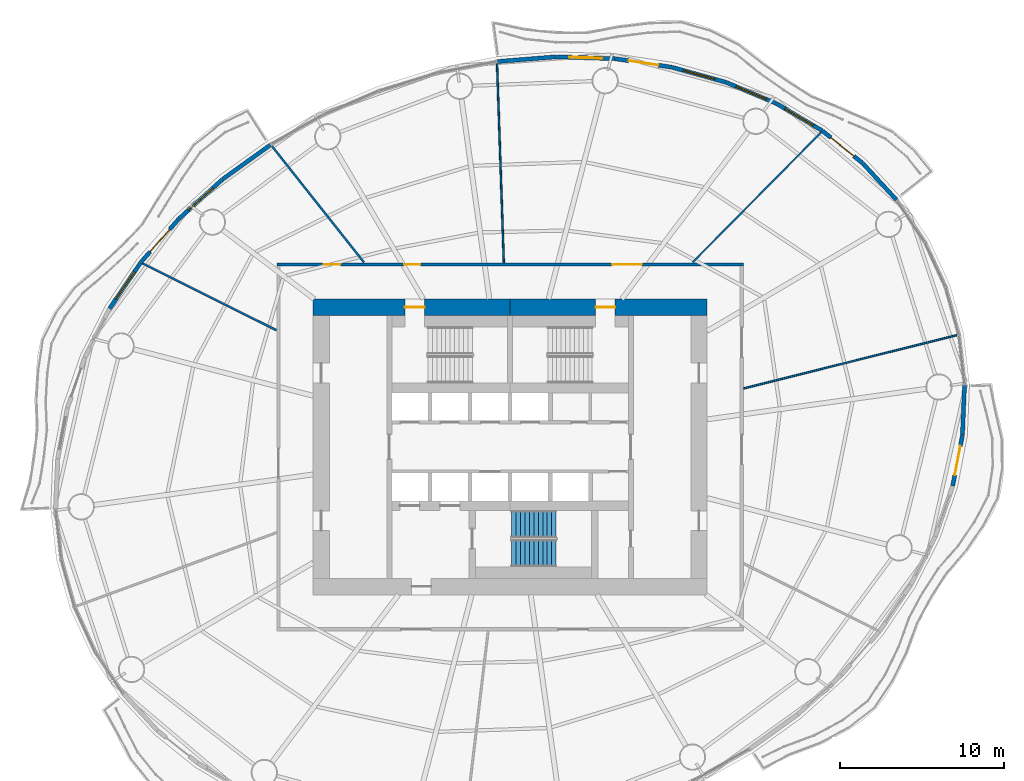
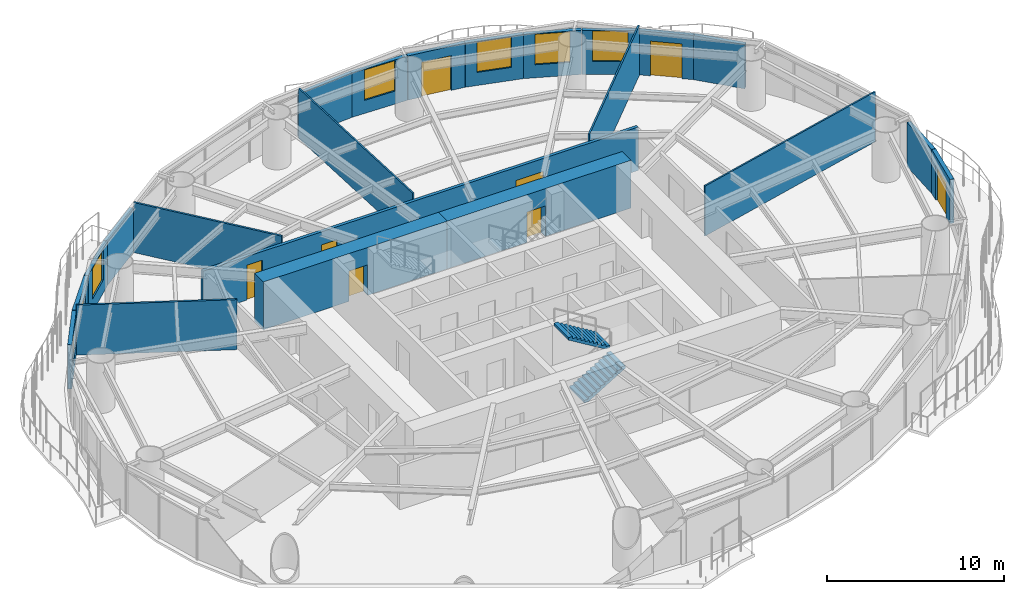
# One storey, part 10 of 16: 22 walls, 9 doors, 6 windows, 2 stair flights, 15 openings, 1 element without a shape of its own.
"""IFC4 building model written with IfcOpenShell, lengths in metres."""

from ifc_helpers import new_model, si_unit, direction, frame, frame_2d, origin, place, context, subcontext, project, spatial, polyline, rectangle, outline, extrude, material, layer, layer_set, type_object, element, fill, aggregate, save


model = new_model("IFC4")

# Units and contexts
model_context = context("Model", 3, precision=1e-05, world=origin(), true_north=direction((0.0, 1.0)))
body_context = subcontext(model_context, "Body", "Model", "MODEL_VIEW")
ifc_project = project(units=[si_unit("LENGTHUNIT", "METRE"), si_unit("AREAUNIT", "SQUARE_METRE"), si_unit("VOLUMEUNIT", "CUBIC_METRE"), si_unit("PLANEANGLEUNIT", "RADIAN"), si_unit("MASSUNIT", "GRAM", prefix="KILO")], contexts=[model_context])

# Site, building, storey
site_placement = place(None, origin())
site = spatial("IfcSite", under=ifc_project, at=site_placement, CompositionType="ELEMENT")
building_placement = place(site_placement, origin())
building = spatial("IfcBuilding", under=site, at=building_placement, Name="Vermilion Reach Broadcast Tower", CompositionType="ELEMENT")
storey_placement = place(building_placement, frame((0.0, 0.0, 113.800048828125)))
storey = spatial("IfcBuildingStorey", under=building, at=storey_placement, Name="L26", CompositionType="ELEMENT", Elevation=113.800048828125)

# Wall, opening, door
ifc_material_1 = material(Name="Concrete C70", Category="concrete")
ifc_layer_1 = layer(ifc_material_1, 1.0)
ifc_layer_set_1 = layer_set([ifc_layer_1], Name="Core outer wall 1000 mm Concrete C70")
wall_type_1 = type_object("IfcWallType", Name="Core outer wall 1000 mm Concrete C70", PredefinedType="SHEAR", material=ifc_layer_set_1)
wall_1_placement = place(storey_placement, frame((6.0, 8.5, 0.0), z_axis=(0.0, 0.0, 1.0), x_axis=(-1.0, 0.0, 0.0)))
wall_1 = element("IfcWall", 1, at=wall_1_placement, inside=storey, type_object=wall_type_1, Name="L26 core wall onE", PredefinedType="SHEAR", context=body_context, shape_type="SweptSolid", body=[
    extrude(rectangle(XDim=12.0, YDim=1.0, at=frame_2d((6.0, 0.0))), origin(), (0.0, 0.0, 1.0), 3.300048828125),
])
opening_1_placement = place(wall_1_placement, frame((5.60009765625, 0.0, 0.0)))
opening_1 = element("IfcOpeningElement", 2, at=opening_1_placement, cuts=wall_1, Name="Opening D01", PredefinedType="OPENING", context=body_context, shape_type="SweptSolid", body=[
    extrude(rectangle(XDim=1.199951171875, YDim=2.10009765625, at=frame_2d((0.60009765625, 1.050048828125))), frame((0.0, 0.510009765625, 0.0), z_axis=(0.0, -1.0, 0.0), x_axis=(1.0, 0.0, 0.0)), (0.0, 0.0, 1.0), 1.02001953125),
])
ifc_material_2 = material(Name="Painted steel fire door", Category="steel")
door_type_1 = type_object("IfcDoorType", Name="Stair door 1200 x 2100", OperationType="DOUBLE_DOOR_SINGLE_SWING", PredefinedType="NOTDEFINED", material=ifc_material_2)
door_1_placement = place(opening_1_placement, origin())
door_1 = element("IfcDoor", 3, at=door_1_placement, inside=storey, type_object=door_type_1, Name="L26 stair door ST2", OperationType="DOUBLE_DOOR_SINGLE_SWING", OverallHeight=2.10009765625, OverallWidth=1.199951171875, PredefinedType="NOTDEFINED", context=body_context, shape_type="SweptSolid", body=[
    extrude(rectangle(XDim=1.199951171875, YDim=2.10009765625, at=frame_2d((0.60009765625, 1.050048828125))), frame((0.0, 0.02490234375, 0.0), z_axis=(0.0, -1.0, 0.0), x_axis=(1.0, 0.0, 0.0)), (0.0, 0.0, 1.0), 0.050048828125),
])
fill(opening_1, door_1)

wall_2_placement = place(storey_placement, frame((-6.0, 8.5, 0.0), z_axis=(0.0, 0.0, 1.0), x_axis=(-1.0, 0.0, 0.0)))
wall_2 = element("IfcWall", 4, at=wall_2_placement, inside=storey, type_object=wall_type_1, Name="L26 core wall onW", PredefinedType="SHEAR", context=body_context, shape_type="SweptSolid", body=[
    extrude(rectangle(XDim=12.0, YDim=1.0, at=frame_2d((6.0, 0.0))), origin(), (0.0, 0.0, 1.0), 3.300048828125),
])
opening_2_placement = place(wall_2_placement, frame((5.199951171875, 0.0, 0.0)))
opening_2 = element("IfcOpeningElement", 5, at=opening_2_placement, cuts=wall_2, Name="Opening D01", PredefinedType="OPENING", context=body_context, shape_type="SweptSolid", body=[
    extrude(rectangle(XDim=1.199951171875, YDim=2.10009765625, at=frame_2d((0.60009765625, 1.050048828125))), frame((0.0, 0.510009765625, 0.0), z_axis=(0.0, -1.0, 0.0), x_axis=(1.0, 0.0, 0.0)), (0.0, 0.0, 1.0), 1.02001953125),
])
door_2_placement = place(opening_2_placement, origin())
door_2 = element("IfcDoor", 6, at=door_2_placement, inside=storey, type_object=door_type_1, Name="L26 stair door ST1", OperationType="DOUBLE_DOOR_SINGLE_SWING", OverallHeight=2.10009765625, OverallWidth=1.199951171875, PredefinedType="NOTDEFINED", context=body_context, shape_type="SweptSolid", body=[
    extrude(rectangle(XDim=1.199951171875, YDim=2.10009765625, at=frame_2d((0.60009765625, 1.050048828125))), frame((0.0, 0.02490234375, 0.0), z_axis=(0.0, -1.0, 0.0), x_axis=(1.0, 0.0, 0.0)), (0.0, 0.0, 1.0), 0.050048828125),
])
fill(opening_2, door_2)

# Walls
ifc_material_3 = material(Name="Plasterboard on steel stud", Category="steel")
ifc_layer_2 = layer(ifc_material_3, 0.10009765625)
ifc_layer_set_2 = layer_set([ifc_layer_2], Name="Partition 100 steel stud")
wall_type_2 = type_object("IfcWallType", Name="Partition 100 steel stud", PredefinedType="PARTITIONING", material=ifc_layer_set_2)
wall_3_placement = place(storey_placement, frame((12.930419921875, 19.14599609375, 0.0), z_axis=(0.0, 0.0, 1.0), x_axis=(-0.703090382433, -0.711100495099, 0.0)))
element("IfcWall", 7, at=wall_3_placement, inside=storey, type_object=wall_type_2, Name="Partition 26.01", PredefinedType="PARTITIONING", context=body_context, shape_type="SweptSolid", body=[
    extrude(rectangle(XDim=11.124755859375, YDim=0.10009765625, at=frame_2d((5.5625, 0.0))), origin(), (0.0, 0.0, 1.0), 3.449951171875),
])
wall_4_placement = place(storey_placement, frame((-6.7939453125, 23.3310546875, 0.0), z_axis=(0.0, 0.0, 1.0), x_axis=(0.034016773765, -0.999421262083, 0.0)))
element("IfcWall", 8, at=wall_4_placement, inside=storey, type_object=wall_type_2, Name="Partition 26.02", PredefinedType="PARTITIONING", context=body_context, shape_type="SweptSolid", body=[
    extrude(rectangle(XDim=12.136474609375, YDim=0.10009765625, at=frame_2d((6.068359375, 0.0))), origin(), (0.0, 0.0, 1.0), 3.449951171875),
])
wall_5_placement = place(storey_placement, frame((21.197509765625, 6.80517578125, 0.0), z_axis=(0.0, 0.0, 1.0), x_axis=(-0.970095274977, -0.242724447608, 0.0)))
element("IfcWall", 9, at=wall_5_placement, inside=storey, type_object=wall_type_2, Name="Partition 26.08", PredefinedType="PARTITIONING", context=body_context, shape_type="SweptSolid", body=[
    extrude(rectangle(XDim=13.3857421875, YDim=0.10009765625, at=frame_2d((6.69287109375, 0.0))), origin(), (0.0, 0.0, 1.0), 3.449951171875),
])
ifc_material_4 = material(Name="Fire-rated plasterboard on steel stud", Category="steel")
ifc_layer_3 = layer(ifc_material_4, 0.125)
ifc_layer_set_3 = layer_set([ifc_layer_3], Name="Partition 125 fire-rated stud")
wall_type_3 = type_object("IfcWallType", Name="Partition 125 fire-rated stud", PredefinedType="PARTITIONING", material=ifc_layer_set_3)
wall_6_placement = place(storey_placement, frame((-20.4912109375, 18.30224609375, 0.0), z_axis=(0.0, 0.0, 1.0), x_axis=(0.620744588947, -0.784012854036, 0.0)))
element("IfcWall", 10, at=wall_6_placement, inside=storey, type_object=wall_type_3, Name="Partition 26.03", PredefinedType="PARTITIONING", context=body_context, shape_type="SweptSolid", body=[
    extrude(rectangle(XDim=9.00927734375, YDim=0.125, at=frame_2d((4.504638671875, 0.0))), origin(), (0.0, 0.0, 1.0), 3.449951171875),
])
wall_7_placement = place(storey_placement, frame((-28.367919921875, 11.169921875, 0.0), z_axis=(0.0, 0.0, 1.0), x_axis=(0.894647115325, -0.446773476205, 0.0)))
element("IfcWall", 11, at=wall_7_placement, inside=storey, type_object=wall_type_3, Name="Partition 26.04", PredefinedType="PARTITIONING", context=body_context, shape_type="SweptSolid", body=[
    extrude(rectangle(XDim=9.098388671875, YDim=0.125, at=frame_2d((4.54931640625, 0.0))), origin(), (0.0, 0.0, 1.0), 3.449951171875),
])
ifc_material_5 = material(Name="Terracotta rainscreen cladding", Category="masonry")
ifc_layer_4 = layer(ifc_material_5, 0.25)
ifc_layer_set_4 = layer_set([ifc_layer_4], Name="Terracotta rainscreen wall 250")
wall_type_4 = type_object("IfcWallType", Name="Terracotta rainscreen wall 250", PredefinedType="SOLIDWALL", material=ifc_layer_set_4)
wall_8_placement = place(storey_placement, frame((17.519775390625, 15.037841796875, 0.0), z_axis=(0.0, 0.0, 1.0), x_axis=(-0.677632184293, 0.735400994567, 0.0)))
element("IfcWall", 12, at=wall_8_placement, inside=storey, type_object=wall_type_4, Name="External wall L26 02", PredefinedType="SOLIDWALL", context=body_context, shape_type="SweptSolid", body=[
    extrude(rectangle(XDim=3.021728515625, YDim=0.25, at=frame_2d((1.5107421875, 0.0))), origin(), (0.0, 0.0, 1.0), 3.050048828125),
])

# Wall, opening, door
wall_9_placement = place(storey_placement, frame((15.45263671875, 17.278076171875, 0.0), z_axis=(0.0, 0.0, 1.0), x_axis=(-0.779353281229, 0.626584761256, 0.0)))
wall_9 = element("IfcWall", 13, at=wall_9_placement, inside=storey, type_object=wall_type_4, Name="External wall L26 03", PredefinedType="SOLIDWALL", context=body_context, shape_type="SweptSolid", body=[
    extrude(rectangle(XDim=3.13232421875, YDim=0.25, at=frame_2d((1.566162109375, 0.0))), origin(), (0.0, 0.0, 1.0), 3.050048828125),
])
opening_3_placement = place(wall_9_placement, frame((0.666015625, 0.0, 0.0)))
opening_3 = element("IfcOpeningElement", 14, at=opening_3_placement, cuts=wall_9, Name="Opening D70", PredefinedType="OPENING", context=body_context, shape_type="SweptSolid", body=[
    extrude(rectangle(XDim=1.800048828125, YDim=2.39990234375, at=frame_2d((0.89990234375, 1.199951171875))), frame((0.0, 0.135009765625, 0.0), z_axis=(0.0, -1.0, 0.0), x_axis=(1.0, 0.0, 0.0)), (0.0, 0.0, 1.0), 0.27001953125),
])
ifc_material_6 = material(Name="Low-e laminated clear glass in aluminium frame", Category="aluminium")
door_type_2 = type_object("IfcDoorType", Name="Balcony sliding door 1800 x 2400", OperationType="DOUBLE_DOOR_SLIDING", PredefinedType="DOOR", material=ifc_material_6)
door_3_placement = place(opening_3_placement, origin())
door_3 = element("IfcDoor", 15, at=door_3_placement, inside=storey, type_object=door_type_2, Name="Balcony door L26 run 01", OperationType="DOUBLE_DOOR_SLIDING", OverallHeight=2.39990234375, OverallWidth=1.800048828125, PredefinedType="DOOR", context=body_context, shape_type="SweptSolid", body=[
    extrude(rectangle(XDim=1.800048828125, YDim=2.39990234375, at=frame_2d((0.89990234375, 1.199951171875))), frame((0.0, 0.02490234375, 0.0), z_axis=(0.0, -1.0, 0.0), x_axis=(1.0, 0.0, 0.0)), (0.0, 0.0, 1.0), 0.050048828125),
])
fill(opening_3, door_3)

# Wall, opening, window
wall_10_placement = place(storey_placement, frame((12.990478515625, 19.25537109375, 0.0), z_axis=(0.0, 0.0, 1.0), x_axis=(-0.860327301237, 0.509742027644, 0.0)))
wall_10 = element("IfcWall", 16, at=wall_10_placement, inside=storey, type_object=wall_type_4, Name="External wall L26 04", PredefinedType="SOLIDWALL", context=body_context, shape_type="SweptSolid", body=[
    extrude(rectangle(XDim=3.215087890625, YDim=0.25, at=frame_2d((1.607421875, 0.0))), origin(), (0.0, 0.0, 1.0), 3.050048828125),
])
opening_4_placement = place(wall_10_placement, frame((0.607421875, 0.0, 0.89990234375)))
opening_4 = element("IfcOpeningElement", 17, at=opening_4_placement, cuts=wall_10, Name="Opening W03", PredefinedType="OPENING", context=body_context, shape_type="SweptSolid", body=[
    extrude(rectangle(XDim=2.0, YDim=2.10009765625, at=frame_2d((1.0, 1.050048828125))), frame((0.0, 0.135009765625, 0.0), z_axis=(0.0, -1.0, 0.0), x_axis=(1.0, 0.0, 0.0)), (0.0, 0.0, 1.0), 0.27001953125),
])
ifc_material_7 = material(Name="Low-e laminated clear glass in aluminium frame", Category="aluminium")
window_type = type_object("IfcWindowType", Name="Punched window 2000 x 2100 sill 900", PartitioningType="SINGLE_PANEL", PredefinedType="WINDOW", material=ifc_material_7)
window_1_placement = place(opening_4_placement, origin())
window_1 = element("IfcWindow", 18, at=window_1_placement, inside=storey, type_object=window_type, Name="Window L26 04", OverallHeight=2.10009765625, OverallWidth=2.0, PartitioningType="SINGLE_PANEL", PredefinedType="WINDOW", context=body_context, shape_type="SweptSolid", body=[
    extrude(rectangle(XDim=2.0, YDim=2.10009765625, at=frame_2d((1.0, 1.050048828125))), frame((0.0, 0.030029296875, 0.0), z_axis=(0.0, -1.0, 0.0), x_axis=(1.0, 0.0, 0.0)), (0.0, 0.0, 1.0), 0.06005859375),
])
fill(opening_4, window_1)

wall_11_placement = place(storey_placement, frame((10.2021484375, 20.905517578125, 0.0), z_axis=(0.0, 0.0, 1.0), x_axis=(-0.921226028589, 0.389027767967, 0.0)))
wall_11 = element("IfcWall", 19, at=wall_11_placement, inside=storey, type_object=wall_type_4, Name="External wall L26 05", PredefinedType="SOLIDWALL", context=body_context, shape_type="SweptSolid", body=[
    extrude(rectangle(XDim=3.3046875, YDim=0.25, at=frame_2d((1.65234375, 0.0))), origin(), (0.0, 0.0, 1.0), 3.050048828125),
])
opening_5_placement = place(wall_11_placement, frame((0.65234375, 0.0, 0.89990234375)))
opening_5 = element("IfcOpeningElement", 20, at=opening_5_placement, cuts=wall_11, Name="Opening W03", PredefinedType="OPENING", context=body_context, shape_type="SweptSolid", body=[
    extrude(rectangle(XDim=2.0, YDim=2.10009765625, at=frame_2d((1.0, 1.050048828125))), frame((0.0, 0.135009765625, 0.0), z_axis=(0.0, -1.0, 0.0), x_axis=(1.0, 0.0, 0.0)), (0.0, 0.0, 1.0), 0.27001953125),
])
window_2_placement = place(opening_5_placement, origin())
window_2 = element("IfcWindow", 21, at=window_2_placement, inside=storey, type_object=window_type, Name="Window L26 05", OverallHeight=2.10009765625, OverallWidth=2.0, PartitioningType="SINGLE_PANEL", PredefinedType="WINDOW", context=body_context, shape_type="SweptSolid", body=[
    extrude(rectangle(XDim=2.0, YDim=2.10009765625, at=frame_2d((1.0, 1.050048828125))), frame((0.0, 0.030029296875, 0.0), z_axis=(0.0, -1.0, 0.0), x_axis=(1.0, 0.0, 0.0)), (0.0, 0.0, 1.0), 0.06005859375),
])
fill(opening_5, window_2)

wall_12_placement = place(storey_placement, frame((7.135009765625, 22.19921875, 0.0), z_axis=(0.0, 0.0, 1.0), x_axis=(-0.96343750938, 0.267933136285, 0.0)))
wall_12 = element("IfcWall", 22, at=wall_12_placement, inside=storey, type_object=wall_type_4, Name="External wall L26 06", PredefinedType="SOLIDWALL", context=body_context, shape_type="SweptSolid", body=[
    extrude(rectangle(XDim=3.39501953125, YDim=0.25, at=frame_2d((1.697509765625, 0.0))), origin(), (0.0, 0.0, 1.0), 3.050048828125),
])
opening_6_placement = place(wall_12_placement, frame((0.697509765625, 0.0, 0.89990234375)))
opening_6 = element("IfcOpeningElement", 23, at=opening_6_placement, cuts=wall_12, Name="Opening W03", PredefinedType="OPENING", context=body_context, shape_type="SweptSolid", body=[
    extrude(rectangle(XDim=2.0, YDim=2.10009765625, at=frame_2d((1.0, 1.050048828125))), frame((0.0, 0.135009765625, 0.0), z_axis=(0.0, -1.0, 0.0), x_axis=(1.0, 0.0, 0.0)), (0.0, 0.0, 1.0), 0.27001953125),
])
window_3_placement = place(opening_6_placement, origin())
window_3 = element("IfcWindow", 24, at=window_3_placement, inside=storey, type_object=window_type, Name="Window L26 06", OverallHeight=2.10009765625, OverallWidth=2.0, PartitioningType="SINGLE_PANEL", PredefinedType="WINDOW", context=body_context, shape_type="SweptSolid", body=[
    extrude(rectangle(XDim=2.0, YDim=2.10009765625, at=frame_2d((1.0, 1.050048828125))), frame((0.0, 0.030029296875, 0.0), z_axis=(0.0, -1.0, 0.0), x_axis=(1.0, 0.0, 0.0)), (0.0, 0.0, 1.0), 0.06005859375),
])
fill(opening_6, window_3)

# Wall, opening, door
wall_13_placement = place(storey_placement, frame((3.84130859375, 23.11376953125, 0.0), z_axis=(0.0, 0.0, 1.0), x_axis=(-0.98891112558, 0.14850853748, 0.0)))
wall_13 = element("IfcWall", 25, at=wall_13_placement, inside=storey, type_object=wall_type_4, Name="External wall L26 07", PredefinedType="SOLIDWALL", context=body_context, shape_type="SweptSolid", body=[
    extrude(rectangle(XDim=3.480224609375, YDim=0.25, at=frame_2d((1.740234375, 0.0))), origin(), (0.0, 0.0, 1.0), 3.050048828125),
])
opening_7_placement = place(wall_13_placement, frame((0.840087890625, 0.0, 0.0)))
opening_7 = element("IfcOpeningElement", 26, at=opening_7_placement, cuts=wall_13, Name="Opening D70", PredefinedType="OPENING", context=body_context, shape_type="SweptSolid", body=[
    extrude(rectangle(XDim=1.800048828125, YDim=2.39990234375, at=frame_2d((0.89990234375, 1.199951171875))), frame((0.0, 0.135009765625, 0.0), z_axis=(0.0, -1.0, 0.0), x_axis=(1.0, 0.0, 0.0)), (0.0, 0.0, 1.0), 0.27001953125),
])
door_4_placement = place(opening_7_placement, origin())
door_4 = element("IfcDoor", 27, at=door_4_placement, inside=storey, type_object=door_type_2, Name="Balcony door L26 run 02", OperationType="DOUBLE_DOOR_SLIDING", OverallHeight=2.39990234375, OverallWidth=1.800048828125, PredefinedType="DOOR", context=body_context, shape_type="SweptSolid", body=[
    extrude(rectangle(XDim=1.800048828125, YDim=2.39990234375, at=frame_2d((0.89990234375, 1.199951171875))), frame((0.0, 0.02490234375, 0.0), z_axis=(0.0, -1.0, 0.0), x_axis=(1.0, 0.0, 0.0)), (0.0, 0.0, 1.0), 0.050048828125),
])
fill(opening_7, door_4)

# Wall, opening, window
wall_14_placement = place(storey_placement, frame((0.377197265625, 23.632568359375, 0.0), z_axis=(0.0, 0.0, 1.0), x_axis=(-0.99948104208, 0.032212521216, 0.0)))
wall_14 = element("IfcWall", 28, at=wall_14_placement, inside=storey, type_object=wall_type_4, Name="External wall L26 08", PredefinedType="SOLIDWALL", context=body_context, shape_type="SweptSolid", body=[
    extrude(rectangle(XDim=3.5546875, YDim=0.25, at=frame_2d((1.77734375, 0.0))), origin(), (0.0, 0.0, 1.0), 3.050048828125),
])
opening_8_placement = place(wall_14_placement, frame((0.77734375, 0.0, 0.89990234375)))
opening_8 = element("IfcOpeningElement", 29, at=opening_8_placement, cuts=wall_14, Name="Opening W03", PredefinedType="OPENING", context=body_context, shape_type="SweptSolid", body=[
    extrude(rectangle(XDim=2.0, YDim=2.10009765625, at=frame_2d((1.0, 1.050048828125))), frame((0.0, 0.135009765625, 0.0), z_axis=(0.0, -1.0, 0.0), x_axis=(1.0, 0.0, 0.0)), (0.0, 0.0, 1.0), 0.27001953125),
])
window_4_placement = place(opening_8_placement, origin())
window_4 = element("IfcWindow", 30, at=window_4_placement, inside=storey, type_object=window_type, Name="Window L26 08", OverallHeight=2.10009765625, OverallWidth=2.0, PartitioningType="SINGLE_PANEL", PredefinedType="WINDOW", context=body_context, shape_type="SweptSolid", body=[
    extrude(rectangle(XDim=2.0, YDim=2.10009765625, at=frame_2d((1.0, 1.050048828125))), frame((0.0, 0.030029296875, 0.0), z_axis=(0.0, -1.0, 0.0), x_axis=(1.0, 0.0, 0.0)), (0.0, 0.0, 1.0), 0.06005859375),
])
fill(opening_8, window_4)

# Walls
wall_15_placement = place(storey_placement, frame((-3.197509765625, 23.74658203125, 0.0), z_axis=(0.0, 0.0, 1.0), x_axis=(-0.996755199543, -0.080492684039, 0.0)))
element("IfcWall", 31, at=wall_15_placement, inside=storey, type_object=wall_type_4, Name="External wall L26 09", PredefinedType="SOLIDWALL", context=body_context, shape_type="SweptSolid", body=[
    extrude(rectangle(XDim=3.56982421875, YDim=0.25, at=frame_2d((1.784912109375, 0.0))), origin(), (0.0, 0.0, 1.0), 3.050048828125),
])
wall_16_placement = place(storey_placement, frame((-20.60302734375, 18.37548828125, 0.0), z_axis=(0.0, 0.0, 1.0), x_axis=(-0.812029550547, -0.583616320058, 0.0)))
element("IfcWall", 32, at=wall_16_placement, inside=storey, type_object=wall_type_4, Name="External wall L26 14", PredefinedType="SOLIDWALL", context=body_context, shape_type="SweptSolid", body=[
    extrude(rectangle(XDim=3.570068359375, YDim=0.25, at=frame_2d((1.78515625, 0.0))), origin(), (0.0, 0.0, 1.0), 3.050048828125),
])

# Wall, opening, window
wall_17_placement = place(storey_placement, frame((-23.519287109375, 16.278076171875, 0.0), z_axis=(0.0, 0.0, 1.0), x_axis=(-0.7412037287, -0.67128014462, 0.0)))
wall_17 = element("IfcWall", 33, at=wall_17_placement, inside=storey, type_object=wall_type_4, Name="External wall L26 15", PredefinedType="SOLIDWALL", context=body_context, shape_type="SweptSolid", body=[
    extrude(rectangle(XDim=3.554443359375, YDim=0.25, at=frame_2d((1.77734375, 0.0))), origin(), (0.0, 0.0, 1.0), 3.050048828125),
])
opening_9_placement = place(wall_17_placement, frame((0.77734375, 0.0, 0.89990234375)))
opening_9 = element("IfcOpeningElement", 34, at=opening_9_placement, cuts=wall_17, Name="Opening W03", PredefinedType="OPENING", context=body_context, shape_type="SweptSolid", body=[
    extrude(rectangle(XDim=2.0, YDim=2.10009765625, at=frame_2d((1.0, 1.050048828125))), frame((0.0, 0.135009765625, 0.0), z_axis=(0.0, -1.0, 0.0), x_axis=(1.0, 0.0, 0.0)), (0.0, 0.0, 1.0), 0.27001953125),
])
window_5_placement = place(opening_9_placement, origin())
window_5 = element("IfcWindow", 35, at=window_5_placement, inside=storey, type_object=window_type, Name="Window L26 15", OverallHeight=2.10009765625, OverallWidth=2.0, PartitioningType="SINGLE_PANEL", PredefinedType="WINDOW", context=body_context, shape_type="SweptSolid", body=[
    extrude(rectangle(XDim=2.0, YDim=2.10009765625, at=frame_2d((1.0, 1.050048828125))), frame((0.0, 0.030029296875, 0.0), z_axis=(0.0, -1.0, 0.0), x_axis=(1.0, 0.0, 0.0)), (0.0, 0.0, 1.0), 0.06005859375),
])
fill(opening_9, window_5)

# Wall, opening, door
wall_18_placement = place(storey_placement, frame((-26.169677734375, 13.8759765625, 0.0), z_axis=(0.0, 0.0, 1.0), x_axis=(-0.657903433386, -0.753102298721, 0.0)))
wall_18 = element("IfcWall", 36, at=wall_18_placement, inside=storey, type_object=wall_type_4, Name="External wall L26 16", PredefinedType="SOLIDWALL", context=body_context, shape_type="SweptSolid", body=[
    extrude(rectangle(XDim=3.47998046875, YDim=0.25, at=frame_2d((1.739990234375, 0.0))), origin(), (0.0, 0.0, 1.0), 3.050048828125),
])
opening_10_placement = place(wall_18_placement, frame((0.840087890625, 0.0, 0.0)))
opening_10 = element("IfcOpeningElement", 37, at=opening_10_placement, cuts=wall_18, Name="Opening D70", PredefinedType="OPENING", context=body_context, shape_type="SweptSolid", body=[
    extrude(rectangle(XDim=1.800048828125, YDim=2.39990234375, at=frame_2d((0.89990234375, 1.199951171875))), frame((0.0, 0.135009765625, 0.0), z_axis=(0.0, -1.0, 0.0), x_axis=(1.0, 0.0, 0.0)), (0.0, 0.0, 1.0), 0.27001953125),
])
door_5_placement = place(opening_10_placement, origin())
door_5 = element("IfcDoor", 38, at=door_5_placement, inside=storey, type_object=door_type_2, Name="Balcony door L26 run 04", OperationType="DOUBLE_DOOR_SLIDING", OverallHeight=2.39990234375, OverallWidth=1.800048828125, PredefinedType="DOOR", context=body_context, shape_type="SweptSolid", body=[
    extrude(rectangle(XDim=1.800048828125, YDim=2.39990234375, at=frame_2d((0.89990234375, 1.199951171875))), frame((0.0, 0.02490234375, 0.0), z_axis=(0.0, -1.0, 0.0), x_axis=(1.0, 0.0, 0.0)), (0.0, 0.0, 1.0), 0.050048828125),
])
fill(opening_10, door_5)

# Wall, opening, window
wall_19_placement = place(storey_placement, frame((-28.473388671875, 11.236572265625, 0.0), z_axis=(0.0, 0.0, 1.0), x_axis=(-0.561237624503, -0.827654715955, 0.0)))
wall_19 = element("IfcWall", 39, at=wall_19_placement, inside=storey, type_object=wall_type_4, Name="External wall L26 17", PredefinedType="SOLIDWALL", context=body_context, shape_type="SweptSolid", body=[
    extrude(rectangle(XDim=3.395263671875, YDim=0.25, at=frame_2d((1.69775390625, 0.0))), origin(), (0.0, 0.0, 1.0), 3.050048828125),
])
opening_11_placement = place(wall_19_placement, frame((0.697509765625, 0.0, 0.89990234375)))
opening_11 = element("IfcOpeningElement", 40, at=opening_11_placement, cuts=wall_19, Name="Opening W03", PredefinedType="OPENING", context=body_context, shape_type="SweptSolid", body=[
    extrude(rectangle(XDim=2.0, YDim=2.10009765625, at=frame_2d((1.0, 1.050048828125))), frame((0.0, 0.135009765625, 0.0), z_axis=(0.0, -1.0, 0.0), x_axis=(1.0, 0.0, 0.0)), (0.0, 0.0, 1.0), 0.27001953125),
])
window_6_placement = place(opening_11_placement, origin())
window_6 = element("IfcWindow", 41, at=window_6_placement, inside=storey, type_object=window_type, Name="Window L26 17", OverallHeight=2.10009765625, OverallWidth=2.0, PartitioningType="SINGLE_PANEL", PredefinedType="WINDOW", context=body_context, shape_type="SweptSolid", body=[
    extrude(rectangle(XDim=2.0, YDim=2.10009765625, at=frame_2d((1.0, 1.050048828125))), frame((0.0, 0.030029296875, 0.0), z_axis=(0.0, -1.0, 0.0), x_axis=(1.0, 0.0, 0.0)), (0.0, 0.0, 1.0), 0.06005859375),
])
fill(opening_11, window_6)

# Wall, opening, door
wall_20_placement = place(storey_placement, frame((20.945068359375, -2.368408203125, 0.0), z_axis=(0.0, 0.0, 1.0), x_axis=(0.188780901571, 0.982019231585, 0.0)))
wall_20 = element("IfcWall", 42, at=wall_20_placement, inside=storey, type_object=wall_type_4, Name="External wall L26 44", PredefinedType="SOLIDWALL", context=body_context, shape_type="SweptSolid", body=[
    extrude(rectangle(XDim=3.13232421875, YDim=0.25, at=frame_2d((1.566162109375, 0.0))), origin(), (0.0, 0.0, 1.0), 3.050048828125),
])
opening_12_placement = place(wall_20_placement, frame((0.666015625, 0.0, 0.0)))
opening_12 = element("IfcOpeningElement", 43, at=opening_12_placement, cuts=wall_20, Name="Opening D70", PredefinedType="OPENING", context=body_context, shape_type="SweptSolid", body=[
    extrude(rectangle(XDim=1.800048828125, YDim=2.39990234375, at=frame_2d((0.89990234375, 1.199951171875))), frame((0.0, 0.135009765625, 0.0), z_axis=(0.0, -1.0, 0.0), x_axis=(1.0, 0.0, 0.0)), (0.0, 0.0, 1.0), 0.27001953125),
])
door_6_placement = place(opening_12_placement, origin())
door_6 = element("IfcDoor", 44, at=door_6_placement, inside=storey, type_object=door_type_2, Name="Balcony door L26 run 11", OperationType="DOUBLE_DOOR_SLIDING", OverallHeight=2.39990234375, OverallWidth=1.800048828125, PredefinedType="DOOR", context=body_context, shape_type="SweptSolid", body=[
    extrude(rectangle(XDim=1.800048828125, YDim=2.39990234375, at=frame_2d((0.89990234375, 1.199951171875))), frame((0.0, 0.02490234375, 0.0), z_axis=(0.0, -1.0, 0.0), x_axis=(1.0, 0.0, 0.0)), (0.0, 0.0, 1.0), 0.050048828125),
])
fill(opening_12, door_6)

# Wall
wall_21_placement = place(storey_placement, frame((21.539306640625, 0.73388671875, 0.0), z_axis=(0.0, 0.0, 1.0), x_axis=(0.04088113468, 0.99916401698, 0.0)))
element("IfcWall", 45, at=wall_21_placement, inside=storey, type_object=wall_type_4, Name="External wall L26 45", PredefinedType="SOLIDWALL", context=body_context, shape_type="SweptSolid", body=[
    extrude(rectangle(XDim=3.021728515625, YDim=0.25, at=frame_2d((1.5107421875, 0.0))), origin(), (0.0, 0.0, 1.0), 3.050048828125),
])

# Wall, openings, doors
ifc_material_8 = material(Name="Fire-rated gypsum board partition")
ifc_layer_5 = layer(ifc_material_8, 0.199951171875)
ifc_layer_set_5 = layer_set([ifc_layer_5], Name="Under girder: Corridor wall 200 fire-rated")
wall_type_5 = type_object("IfcWallType", Name="Under girder: Corridor wall 200 fire-rated", PredefinedType="PARTITIONING", material=ifc_layer_set_5)
wall_22_placement = place(storey_placement, frame((-20.199951171875, 11.10009765625, 0.0), z_axis=(0.0, 0.0, 1.0), x_axis=(1.0, 0.0, 0.0)))
wall_22 = element("IfcWall", 46, at=wall_22_placement, inside=storey, type_object=wall_type_5, Name="Corridor wall 26.N", PredefinedType="PARTITIONING", context=body_context, shape_type="SweptSolid", body=[
    extrude(rectangle(XDim=28.39990234375, YDim=0.199951171875, at=frame_2d((14.199951171875, 0.0))), origin(), (0.0, 0.0, 1.0), 3.0),
])
opening_13_placement = place(wall_22_placement, frame((20.41748046875, 0.0, 0.0)))
opening_13 = element("IfcOpeningElement", 47, at=opening_13_placement, cuts=wall_22, Name="Opening D21", PredefinedType="OPENING", context=body_context, shape_type="SweptSolid", body=[
    extrude(rectangle(XDim=1.800048828125, YDim=2.10009765625, at=frame_2d((0.89990234375, 1.050048828125))), frame((0.0, 0.10986328125, 0.0), z_axis=(0.0, -1.0, 0.0), x_axis=(1.0, 0.0, 0.0)), (0.0, 0.0, 1.0), 0.219970703125),
])
opening_14_placement = place(wall_22_placement, frame((7.7431640625, 0.0, 0.0)))
opening_14 = element("IfcOpeningElement", 48, at=opening_14_placement, cuts=wall_22, Name="Opening D20", PredefinedType="OPENING", context=body_context, shape_type="SweptSolid", body=[
    extrude(rectangle(XDim=1.0, YDim=2.10009765625, at=frame_2d((0.5, 1.050048828125))), frame((0.0, 0.10986328125, 0.0), z_axis=(0.0, -1.0, 0.0), x_axis=(1.0, 0.0, 0.0)), (0.0, 0.0, 1.0), 0.219970703125),
])
opening_15_placement = place(wall_22_placement, frame((2.867431640625, 0.0, 0.0)))
opening_15 = element("IfcOpeningElement", 49, at=opening_15_placement, cuts=wall_22, Name="Opening D23", PredefinedType="OPENING", context=body_context, shape_type="SweptSolid", body=[
    extrude(rectangle(XDim=1.0, YDim=2.39990234375, at=frame_2d((0.5, 1.199951171875))), frame((0.0, 0.10986328125, 0.0), z_axis=(0.0, -1.0, 0.0), x_axis=(1.0, 0.0, 0.0)), (0.0, 0.0, 1.0), 0.219970703125),
])
ifc_material_9 = material(Name="Timber door leaf", Category="wood")
door_type_3 = type_object("IfcDoorType", Name="Door pair 1800x2100", OperationType="NOTDEFINED", PredefinedType="DOOR", material=ifc_material_9)
door_7_placement = place(opening_13_placement, origin())
door_7 = element("IfcDoor", 50, at=door_7_placement, inside=storey, type_object=door_type_3, Name="Door 26.01", OperationType="DOUBLE_DOOR_SINGLE_SWING", OverallHeight=2.10009765625, OverallWidth=1.800048828125, PredefinedType="DOOR", context=body_context, shape_type="SweptSolid", body=[
    extrude(rectangle(XDim=1.800048828125, YDim=2.10009765625, at=frame_2d((0.89990234375, 1.050048828125))), frame((0.0, 0.02490234375, 0.0), z_axis=(0.0, -1.0, 0.0), x_axis=(1.0, 0.0, 0.0)), (0.0, 0.0, 1.0), 0.050048828125),
])
fill(opening_13, door_7)
ifc_material_10 = material(Name="Timber door leaf", Category="wood")
door_type_4 = type_object("IfcDoorType", Name="Door single 1000x2100", OperationType="NOTDEFINED", PredefinedType="DOOR", material=ifc_material_10)
door_8_placement = place(opening_14_placement, origin())
door_8 = element("IfcDoor", 51, at=door_8_placement, inside=storey, type_object=door_type_4, Name="Door 26.02", OperationType="SINGLE_SWING_LEFT", OverallHeight=2.10009765625, OverallWidth=1.0, PredefinedType="DOOR", context=body_context, shape_type="SweptSolid", body=[
    extrude(rectangle(XDim=1.0, YDim=2.10009765625, at=frame_2d((0.5, 1.050048828125))), frame((0.0, 0.02490234375, 0.0), z_axis=(0.0, -1.0, 0.0), x_axis=(1.0, 0.0, 0.0)), (0.0, 0.0, 1.0), 0.050048828125),
])
fill(opening_14, door_8)
ifc_material_11 = material(Name="Veneered timber door leaf", Category="wood")
door_type_5 = type_object("IfcDoorType", Name="Door single 1000x2400", OperationType="NOTDEFINED", PredefinedType="DOOR", material=ifc_material_11)
door_9_placement = place(opening_15_placement, origin())
door_9 = element("IfcDoor", 52, at=door_9_placement, inside=storey, type_object=door_type_5, Name="Door 26.03", OperationType="SINGLE_SWING_RIGHT", OverallHeight=2.39990234375, OverallWidth=1.0, PredefinedType="DOOR", context=body_context, shape_type="SweptSolid", body=[
    extrude(rectangle(XDim=1.0, YDim=2.39990234375, at=frame_2d((0.5, 1.199951171875))), frame((0.0, 0.02490234375, 0.0), z_axis=(0.0, -1.0, 0.0), x_axis=(1.0, 0.0, 0.0)), (0.0, 0.0, 1.0), 0.050048828125),
])
fill(opening_15, door_9)

# Stair, stair flights
ifc_material_12 = material(Name="Concrete C40", Category="concrete")
stair_type = type_object("IfcStairType", Name="Exit stair RC 22 risers 164 mm", PredefinedType="HALF_TURN_STAIR", material=ifc_material_12)
stair_placement = place(storey_placement, origin())
stair = element("IfcStair", 53, at=stair_placement, inside=storey, type_object=stair_type, Name="L26 Exit stair ST3", PredefinedType="HALF_TURN_STAIR")
ifc_material_13 = material(Name="Concrete C40", Category="concrete")
stair_flight_type = type_object("IfcStairFlightType", Name="Exit stair flight RC 11 risers", PredefinedType="STRAIGHT", material=ifc_material_13)
stair_flight_1_placement = place(storey_placement, frame((-5.89990234375, -6.469970703125, 0.0), z_axis=(0.0, 0.0, 1.0), x_axis=(1.0, 0.0, 0.0)))
stair_flight_1 = element("IfcStairFlight", 54, at=stair_flight_1_placement, type_object=stair_flight_type, Name="ST3 flight 1", NumberOfRisers=11, NumberOfTreads=10, PredefinedType="STRAIGHT", RiserHeight=0.163636364, TreadLength=0.27, context=body_context, shape_type="SweptSolid", body=[
    extrude(outline(polyline([(0.0, 0.0), (0.0, 0.16357421875), (0.27001953125, 0.16357421875), (0.27001953125, 0.327392578125), (0.5400390625, 0.327392578125), (0.5400390625, 0.490966796875), (0.81005859375, 0.490966796875), (0.81005859375, 0.654541015625), (1.080078125, 0.654541015625), (1.080078125, 0.818115234375), (1.35009765625, 0.818115234375), (1.35009765625, 0.98193359375), (1.6201171875, 0.98193359375), (1.6201171875, 1.1455078125), (1.889892578125, 1.1455078125), (1.889892578125, 1.30908203125), (2.159912109375, 1.30908203125), (2.159912109375, 1.47265625), (2.429931640625, 1.47265625), (2.429931640625, 1.636474609375), (2.699951171875, 1.636474609375), (2.699951171875, 1.800048828125), (2.699951171875, 1.461181640625), (0.289306640625, 0.0), (0.0, 0.0)])), frame((0.0, 0.830078125, 0.0), z_axis=(0.0, -1.0, 0.0), x_axis=(1.0, 0.0, 0.0)), (0.0, 0.0, 1.0), 1.659912109375),
])
stair_flight_2_placement = place(storey_placement, frame((-3.199951171875, -4.7099609375, 1.800048828125), z_axis=(0.0, 0.0, 1.0), x_axis=(-1.0, 0.0, 0.0)))
stair_flight_2 = element("IfcStairFlight", 55, at=stair_flight_2_placement, type_object=stair_flight_type, Name="ST3 flight 2", NumberOfRisers=11, NumberOfTreads=10, PredefinedType="STRAIGHT", RiserHeight=0.163636364, TreadLength=0.27, context=body_context, shape_type="SweptSolid", body=[
    extrude(outline(polyline([(0.0, 0.0), (0.0, 0.16357421875), (0.27001953125, 0.16357421875), (0.27001953125, 0.327392578125), (0.5400390625, 0.327392578125), (0.5400390625, 0.490966796875), (0.81005859375, 0.490966796875), (0.81005859375, 0.654541015625), (1.080078125, 0.654541015625), (1.080078125, 0.818115234375), (1.35009765625, 0.818115234375), (1.35009765625, 0.98193359375), (1.6201171875, 0.98193359375), (1.6201171875, 1.1455078125), (1.889892578125, 1.1455078125), (1.889892578125, 1.30908203125), (2.159912109375, 1.30908203125), (2.159912109375, 1.47265625), (2.429931640625, 1.47265625), (2.429931640625, 1.636474609375), (2.699951171875, 1.636474609375), (2.699951171875, 1.800048828125), (2.699951171875, 1.461181640625), (0.289306640625, 0.0), (0.0, 0.0)])), frame((0.0, 0.830078125, 0.0), z_axis=(0.0, -1.0, 0.0), x_axis=(1.0, 0.0, 0.0)), (0.0, 0.0, 1.0), 1.659912109375),
])
aggregate(stair, [stair_flight_1, stair_flight_2])

save(model, "model.ifc")
